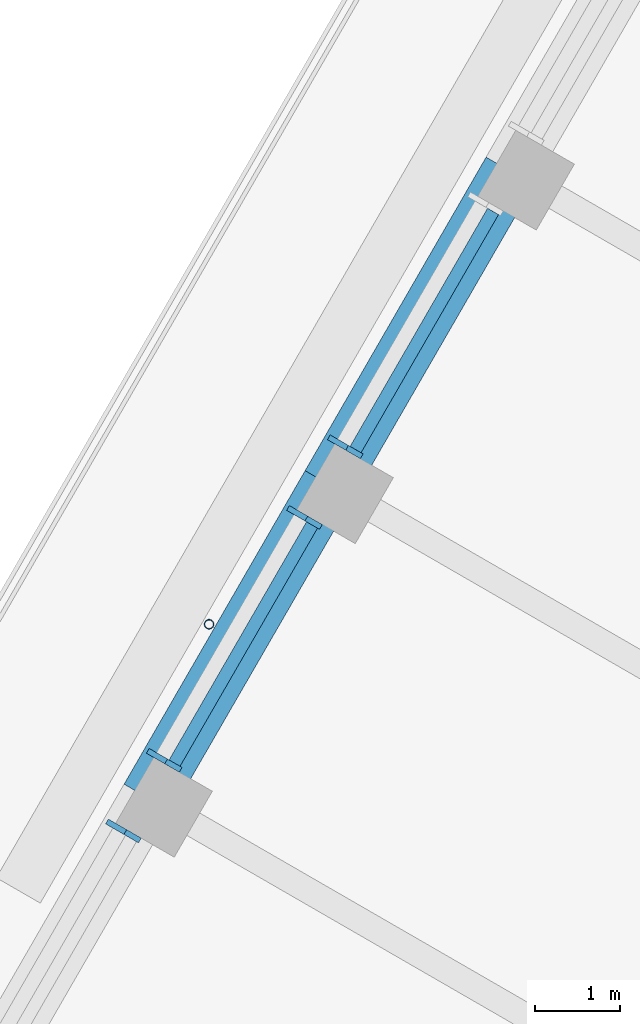
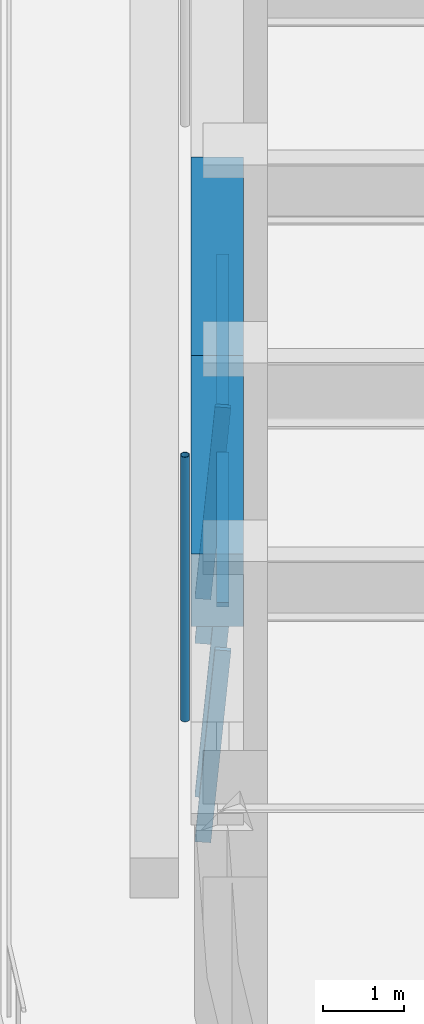
# One storey, part 6 of 19: 7 members, 2 beams, 3 elements without a shape of their own.
"""IFC4 building model written with IfcOpenShell, lengths in metres."""

from ifc_helpers import new_model, si_unit, direction, frame, origin, origin_2d, place, context, subcontext, project, spatial, rectangle, hollow_circle, extrude, material, material_profile, profile_set, type_object, element, aggregate, save


model = new_model("IFC4")

# Units and contexts
model_context = context("Model", 3, precision=1e-05, world=origin(), true_north=direction((0.0, 1.0)))
body_context = subcontext(model_context, "Body", "Model", "MODEL_VIEW")
ifc_project = project(units=[si_unit("LENGTHUNIT", "METRE"), si_unit("AREAUNIT", "SQUARE_METRE"), si_unit("VOLUMEUNIT", "CUBIC_METRE"), si_unit("PLANEANGLEUNIT", "RADIAN"), si_unit("MASSUNIT", "GRAM", prefix="KILO")], contexts=[model_context])

# Site, building, storey
site_placement = place(None, origin())
site = spatial("IfcSite", under=ifc_project, at=site_placement, CompositionType="ELEMENT")
building_placement = place(site_placement, origin())
building = spatial("IfcBuilding", under=site, at=building_placement, Name="Tarfa Lantern Tower", CompositionType="ELEMENT")
storey_placement = place(building_placement, frame((0.0, 0.0, 353.5)))
storey = spatial("IfcBuildingStorey", under=building, at=storey_placement, Name="L80", CompositionType="ELEMENT", Elevation=353.5)

# Curtain wall, member
ifc_material_1 = material(Name="Aluminium framed curtain wall", Category="aluminium")
curtain_wall_type = type_object("IfcCurtainWallType", Name="CW4 CANTED GLAZING EXECUTIVE ZONE 2900", PredefinedType="USERDEFINED", material=ifc_material_1)
curtain_wall_1_placement = place(storey_placement, origin())
curtain_wall_1 = element("IfcCurtainWall", 1, at=curtain_wall_1_placement, inside=storey, type_object=curtain_wall_type, Name="CW4 NW L80", ObjectType="CURTAIN WALL", PredefinedType="USERDEFINED")
ifc_material_2 = material(Name="Aluminium mullion", Category="aluminium")
ifc_material_profile_1 = material_profile(ifc_material_2, rectangle(XDim=0.06494140625, YDim=0.199951171875, at=origin_2d()), Name="AL MULLION 65x200")
ifc_profile_set_1 = profile_set([ifc_material_profile_1], Name="Aluminium mullion")
member_type_1 = type_object("IfcMemberType", Name="CWM1 MULLION 65x200", PredefinedType="MULLION", material=ifc_profile_set_1)
member_1_placement = place(storey_placement, frame((-24.979248046875, 10.034423828125, 0.0), z_axis=(0.074316405553, -0.042945823525, 0.996309554359), x_axis=(0.500342721131, 0.865827443207, 0.0)))
member_1 = element("IfcMember", 2, at=member_1_placement, type_object=member_type_1, Name="CW4 mullion 2", PredefinedType="MULLION", context=body_context, shape_type="SweptSolid", body=[
    extrude(rectangle(XDim=0.06494140625, YDim=0.199951171875, at=origin_2d()), origin(), (0.0, 0.0, 1.0), 2.91064453125),
])

# Curtain wall, members
curtain_wall_2_placement = place(storey_placement, origin())
curtain_wall_2 = element("IfcCurtainWall", 3, at=curtain_wall_2_placement, inside=storey, type_object=curtain_wall_type, Name="CW4 NW L80", ObjectType="CURTAIN WALL", PredefinedType="USERDEFINED")
member_2_placement = place(storey_placement, frame((-25.4619140625, 9.19873046875, 0.0), z_axis=(0.074399820079, -0.042945555672, 0.996303340364), x_axis=(0.499919672301, 0.866071776036, 0.0)))
member_2 = element("IfcMember", 4, at=member_2_placement, type_object=member_type_1, Name="CW4 mullion 1", PredefinedType="MULLION", context=body_context, shape_type="SweptSolid", body=[
    extrude(rectangle(XDim=0.06494140625, YDim=0.199951171875, at=origin_2d()), origin(), (0.0, 0.0, 1.0), 2.91064453125),
])
member_3_placement = place(storey_placement, frame((-27.120361328125, 6.326171875, 0.0), z_axis=(0.074399820079, -0.042945555672, 0.996303340364), x_axis=(0.499919672301, 0.866071776036, 0.0)))
member_3 = element("IfcMember", 5, at=member_3_placement, type_object=member_type_1, Name="CW4 mullion 2", PredefinedType="MULLION", context=body_context, shape_type="SweptSolid", body=[
    extrude(rectangle(XDim=0.06494140625, YDim=0.199951171875, at=origin_2d()), origin(), (0.0, 0.0, 1.0), 2.91064453125),
])

# Curtain wall, member
curtain_wall_3_placement = place(storey_placement, origin())
curtain_wall_3 = element("IfcCurtainWall", 6, at=curtain_wall_3_placement, inside=storey, type_object=curtain_wall_type, Name="CW4 NW L80", ObjectType="CURTAIN WALL", PredefinedType="USERDEFINED")
member_4_placement = place(storey_placement, frame((-27.602783203125, 5.490478515625, 0.0), z_axis=(0.074399820079, -0.042945555672, 0.996303340364), x_axis=(0.499919672301, 0.866071776036, 0.0)))
member_4 = element("IfcMember", 7, at=member_4_placement, type_object=member_type_1, Name="CW4 mullion 1", PredefinedType="MULLION", context=body_context, shape_type="SweptSolid", body=[
    extrude(rectangle(XDim=0.06494140625, YDim=0.199951171875, at=origin_2d()), origin(), (0.0, 0.0, 1.0), 2.91064453125),
])
aggregate(curtain_wall_3, [member_4])

# Member
ifc_material_3 = material(Name="Aluminium transom", Category="aluminium")
ifc_material_profile_2 = material_profile(ifc_material_3, rectangle(XDim=0.14990234375, YDim=0.06494140625, at=origin_2d()), Name="AL TRANSOM 150x65")
ifc_profile_set_2 = profile_set([ifc_material_profile_2], Name="Aluminium transom")
member_type_2 = type_object("IfcMemberType", Name="CWT1 TRANSOM 150x65", PredefinedType="USERDEFINED", material=ifc_profile_set_2)
member_5_placement = place(storey_placement, frame((-23.123046875, 12.75537109375, 2.867431640625), z_axis=(-0.499982393232, -0.866035568818, 0.0), x_axis=(0.866035568818, -0.499982393232, 0.0)))
member_5 = element("IfcMember", 8, at=member_5_placement, type_object=member_type_2, Name="CW4 transom 1.2", ObjectType="TRANSOM", PredefinedType="USERDEFINED", context=body_context, shape_type="SweptSolid", body=[
    extrude(rectangle(XDim=0.14990234375, YDim=0.06494140625, at=origin_2d()), origin(), (0.0, 0.0, 1.0), 3.251953125),
])

aggregate(curtain_wall_1, [member_1, member_5])

member_6_placement = place(storey_placement, frame((-25.263916015625, 9.047119140625, 2.867431640625), z_axis=(-0.499982393232, -0.866035568818, 0.0), x_axis=(0.866035568818, -0.499982393232, 0.0)))
member_6 = element("IfcMember", 9, at=member_6_placement, type_object=member_type_2, Name="CW4 transom 1.2", ObjectType="TRANSOM", PredefinedType="USERDEFINED", context=body_context, shape_type="SweptSolid", body=[
    extrude(rectangle(XDim=0.14990234375, YDim=0.06494140625, at=origin_2d()), origin(), (0.0, 0.0, 1.0), 3.251953125),
])

aggregate(curtain_wall_2, [member_2, member_3, member_6])

# Beams
ifc_material_4 = material(Name="Concrete C80/95", Category="concrete")
ifc_material_profile_3 = material_profile(ifc_material_4, rectangle(XDim=0.64990234375, YDim=1.10009765625, at=origin_2d()), Name="RC 650x1100")
ifc_profile_set_3 = profile_set([ifc_material_profile_3], Name="Concrete C80/95")
beam_type = type_object("IfcBeamType", Name="EB4 RC 650x1100", PredefinedType="SPANDREL", material=ifc_profile_set_3)
beam_1_placement = place(storey_placement, frame((-22.923583984375, 13.235107421875, 3.449951171875), z_axis=(-0.500002112793, -0.866024183959, 0.0), x_axis=(0.866024183959, -0.500002112793, 0.0)))
element("IfcBeam", 10, at=beam_1_placement, inside=storey, type_object=beam_type, Name="Edge beam NW3", PredefinedType="SPANDREL", context=body_context, shape_type="SweptSolid", body=[
    extrude(rectangle(XDim=0.64990234375, YDim=1.10009765625, at=origin_2d()), origin(), (0.0, 0.0, 1.0), 4.2822265625),
])
beam_2_placement = place(storey_placement, frame((-25.064697265625, 9.526611328125, 3.449951171875), z_axis=(-0.500026801138, -0.866009929587, 0.0), x_axis=(0.866009929587, -0.500026801138, 0.0)))
element("IfcBeam", 11, at=beam_2_placement, inside=storey, type_object=beam_type, Name="Edge beam NW4", PredefinedType="SPANDREL", context=body_context, shape_type="SweptSolid", body=[
    extrude(rectangle(XDim=0.64990234375, YDim=1.10009765625, at=origin_2d()), origin(), (0.0, 0.0, 1.0), 4.281982421875),
])

# Member
ifc_material_5 = material(Name="Steel S355", Category="steel")
ifc_material_profile_4 = material_profile(ifc_material_5, hollow_circle(Radius=0.05712890625, WallThickness=0.00634765625, at=origin_2d()), Name="CHS114.3x6.3")
ifc_profile_set_4 = profile_set([ifc_material_profile_4], Name="Steel S355")
member_type_3 = type_object("IfcMemberType", Name="TR1 GREEN WALL TRELLIS CHS114.3x6.3", PredefinedType="USERDEFINED", material=ifc_profile_set_4)
member_7_placement = place(storey_placement, frame((-26.481689453125, 7.87255859375, 0.0), z_axis=(0.0, 0.0, 1.0), x_axis=(1.0, 0.0, 0.0)))
element("IfcMember", 12, at=member_7_placement, inside=storey, type_object=member_type_3, Name="Trellis post NW 2", ObjectType="TRELLIS", PredefinedType="USERDEFINED", context=body_context, shape_type="SweptSolid", body=[
    extrude(hollow_circle(Radius=0.05712890625, WallThickness=0.00634765625, at=origin_2d()), origin(), (0.0, 0.0, 1.0), 4.0),
])

save(model, "model.ifc")
